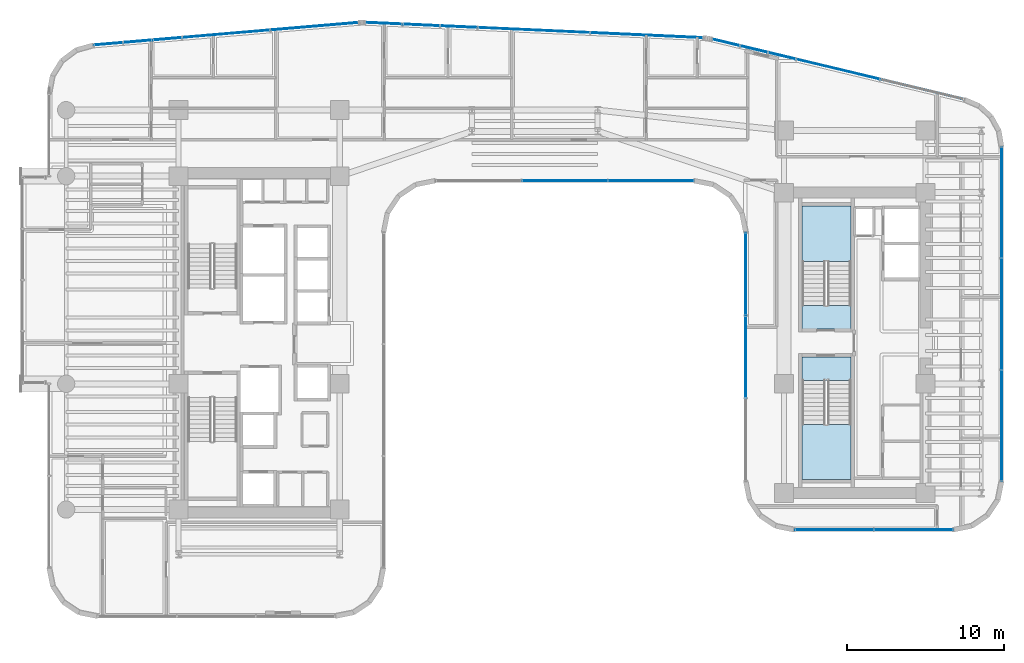
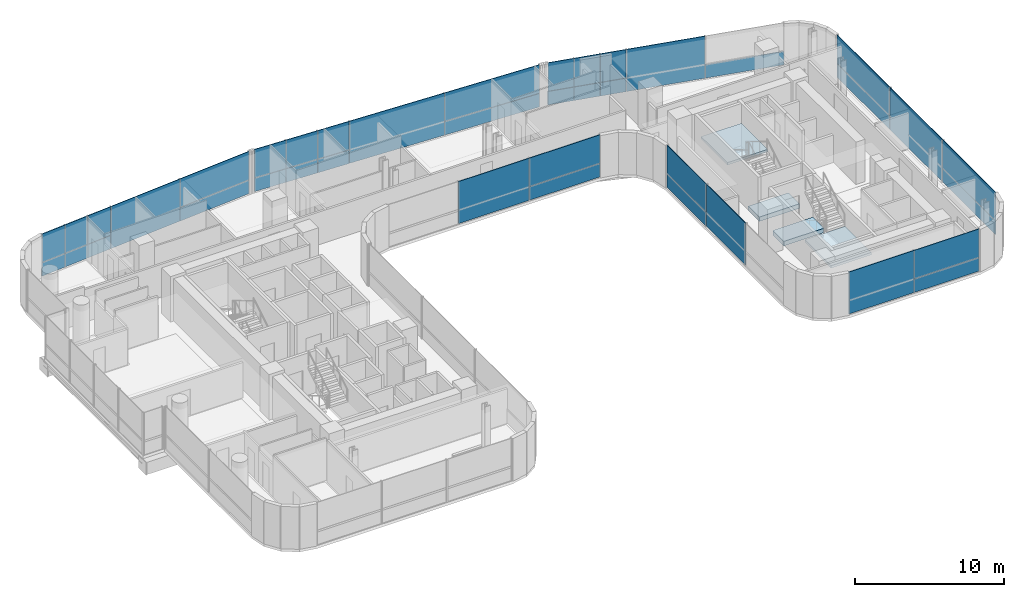
# One storey, part 25 of 36: 40 plates, 4 slabs, 9 elements without a shape of their own.
"""IFC4 building model written with IfcOpenShell, lengths in metres."""

from ifc_helpers import new_model, si_unit, direction, frame, origin, origin_2d, place, context, subcontext, project, spatial, polyline, rectangle, outline, extrude, source, transform, mapped, material, layer, layer_set, type_object, element, aggregate, save


model = new_model("IFC4")

# Units and contexts
model_context = context("Model", 3, precision=1e-05, world=origin(), true_north=direction((0.0, 1.0)))
body_context = subcontext(model_context, "Body", "Model", "MODEL_VIEW")
ifc_project = project(units=[si_unit("LENGTHUNIT", "METRE"), si_unit("AREAUNIT", "SQUARE_METRE"), si_unit("VOLUMEUNIT", "CUBIC_METRE"), si_unit("PLANEANGLEUNIT", "RADIAN"), si_unit("MASSUNIT", "GRAM", prefix="KILO")], contexts=[model_context])

# Site, building, storey
site_placement = place(None, origin())
site = spatial("IfcSite", under=ifc_project, at=site_placement, CompositionType="ELEMENT")
building_placement = place(site_placement, origin())
building = spatial("IfcBuilding", under=site, at=building_placement, Name="Valdorenza Pilgrim Sanctuary Tower", CompositionType="ELEMENT")
storey_placement = place(building_placement, frame((0.0, 0.0, 109.39990234375)))
storey = spatial("IfcBuildingStorey", under=building, at=storey_placement, Name="L27", CompositionType="ELEMENT", Elevation=109.39990234375)

# Stair, slab
ifc_material_1 = material(Name="Concrete C40/50", Category="concrete")
stair_type = type_object("IfcStairType", Name="STR-DOG-CORE", PredefinedType="HALF_TURN_STAIR", material=ifc_material_1)
stair_1_placement = place(storey_placement, origin())
stair_1 = element("IfcStair", 1, at=stair_1_placement, inside=storey, type_object=stair_type, Name="L27 ST-B1", PredefinedType="HALF_TURN_STAIR")
ifc_layer_1 = layer(ifc_material_1, 0.199951171875, Name="Concrete C40/50")
ifc_layer_set_1 = layer_set([ifc_layer_1], Name="Concrete C40/50")
slab_type_1 = type_object("IfcSlabType", Name="SLAB-STL-200", PredefinedType="LANDING", material=ifc_layer_set_1)
slab_1_placement = place(storey_placement, frame((0.0, 0.0, 1.650146484375)))
slab_1 = element("IfcSlab", 2, at=slab_1_placement, type_object=slab_type_1, Name="ST-B1 landing 1", PredefinedType="LANDING", context=body_context, shape_type="SweptSolid", body=[
    extrude(outline(polyline([(20.110107421875, 5.179931640625), (20.110107421875, 8.699951171875), (17.0, 8.699951171875), (17.0, 5.179931640625), (20.110107421875, 5.179931640625)])), origin(), (0.0, 0.0, 1.0), 0.199951171875),
])
aggregate(stair_1, [slab_1])

stair_2_placement = place(storey_placement, origin())
stair_2 = element("IfcStair", 3, at=stair_2_placement, inside=storey, type_object=stair_type, Name="L27 ST-B2", PredefinedType="HALF_TURN_STAIR")
slab_2_placement = place(storey_placement, frame((0.0, 0.0, 1.650146484375)))
slab_2 = element("IfcSlab", 4, at=slab_2_placement, type_object=slab_type_1, Name="ST-B2 landing 1", PredefinedType="LANDING", context=body_context, shape_type="SweptSolid", body=[
    extrude(outline(polyline([(17.0, -5.179931640625), (17.0, -8.699951171875), (20.110107421875, -8.699951171875), (20.110107421875, -5.179931640625), (17.0, -5.179931640625)])), origin(), (0.0, 0.0, 1.0), 0.199951171875),
])
aggregate(stair_2, [slab_2])

# Slabs
ifc_material_2 = material(Name="Concrete C50/60", Category="concrete")
ifc_layer_2 = layer(ifc_material_2, 0.39990234375, Name="Concrete C50/60")
ifc_layer_set_2 = layer_set([ifc_layer_2], Name="Concrete C50/60")
slab_type_2 = type_object("IfcSlabType", Name="SLAB-TRF-400", PredefinedType="FLOOR", material=ifc_layer_set_2)
slab_3_placement = place(storey_placement, frame((0.0, 0.0, -0.35986328125)))
element("IfcSlab", 5, at=slab_3_placement, inside=storey, type_object=slab_type_2, Name="L27 ST-B1 Structural Stair Landing Bearing Slab", PredefinedType="FLOOR", context=body_context, shape_type="SweptSolid", body=[
    extrude(outline(polyline([(17.0, 0.89990234375), (20.110107421875, 0.89990234375), (20.110107421875, 2.385009765625), (17.0, 2.385009765625), (17.0, 0.89990234375)])), origin(), (0.0, 0.0, 1.0), 0.35986328125),
])
slab_4_placement = place(storey_placement, frame((0.0, 0.0, -0.35986328125)))
element("IfcSlab", 6, at=slab_4_placement, inside=storey, type_object=slab_type_2, Name="L27 ST-B2 Structural Stair Landing Bearing Slab", PredefinedType="FLOOR", context=body_context, shape_type="SweptSolid", body=[
    extrude(outline(polyline([(17.0, -2.385009765625), (20.110107421875, -2.385009765625), (20.110107421875, -0.89990234375), (17.0, -0.89990234375), (17.0, -2.385009765625)])), origin(), (0.0, 0.0, 1.0), 0.35986328125),
])

# Curtain wall, plates
ifc_material_3 = material(Name="Curtain-wall IGU glazing", Category="glass")
curtain_wall_type_1 = type_object("IfcCurtainWallType", Name="CW-SYS-02", PredefinedType="NOTDEFINED", material=ifc_material_3)
curtain_wall_1_placement = place(storey_placement, origin())
curtain_wall_1 = element("IfcCurtainWall", 7, at=curtain_wall_1_placement, inside=storey, type_object=curtain_wall_type_1, Name="L27 Curtain Wall CW-L27-1-36", PredefinedType="NOTDEFINED")
ifc_material_4 = material(Name="Honed travertine limestone", Category="masonry")
ifc_layer_3 = layer(ifc_material_4, 0.050048828125, Name="Honed travertine limestone")
ifc_layer_set_3 = layer_set([ifc_layer_3], Name="Honed travertine limestone")
plate_type_1 = type_object("IfcPlateType", Name="CW-SPN-TRV", PredefinedType="USERDEFINED", material=ifc_layer_set_3)
shared_shape_1 = source(origin(), body_context, "Body", "SweptSolid", [
    extrude(rectangle(XDim=5.453857421875, YDim=0.06005859375, at=origin_2d()), origin(), (0.0, 0.0, 1.0), 1.10009765625),
])
plate_1_placement = place(storey_placement, frame((7.373779296875, 10.31005859375, 0.010009765625), z_axis=(0.0, 0.0, 1.0), x_axis=(-1.0, 0.0, 0.0)))
plate_1 = element("IfcPlate", 8, at=plate_1_placement, type_object=plate_type_1, Name="CW-L27-1-36 Travertine Spandrel 1", ObjectType="SPANDREL", PredefinedType="USERDEFINED", context=body_context, shape_type="MappedRepresentation", body=[
    mapped(shared_shape_1, transform((0.0, 0.0, 0.0), x_axis=(1.0, 0.0, 0.0), y_axis=(0.0, 1.0, 0.0), z_axis=(0.0, 0.0, 1.0), scale=1.0)),
])
ifc_material_5 = material(Name="Ceramic-fritted low-E IGU glazing", Category="glass")
ifc_layer_4 = layer(ifc_material_5, 0.035888671875, Name="Ceramic-fritted low-E IGU glazing")
ifc_layer_set_4 = layer_set([ifc_layer_4], Name="Ceramic-fritted low-E IGU glazing")
plate_type_2 = type_object("IfcPlateType", Name="CW-GLZ-IGU", PredefinedType="USERDEFINED", material=ifc_layer_set_4)
shared_shape_2 = source(origin(), body_context, "Body", "SweptSolid", [
    extrude(rectangle(XDim=5.453857421875, YDim=0.050048828125, at=origin_2d()), origin(), (0.0, 0.0, 1.0), 2.320068359375),
])
plate_2_placement = place(storey_placement, frame((7.373779296875, 10.31005859375, 1.1298828125), z_axis=(0.0, 0.0, 1.0), x_axis=(-1.0, 0.0, 0.0)))
plate_2 = element("IfcPlate", 9, at=plate_2_placement, type_object=plate_type_2, Name="CW-L27-1-36 Facade Panel 1", ObjectType="GLAZING", PredefinedType="USERDEFINED", context=body_context, shape_type="MappedRepresentation", body=[
    mapped(shared_shape_2, transform((0.0, 0.0, 0.0), x_axis=(1.0, 0.0, 0.0), y_axis=(0.0, 1.0, 0.0), z_axis=(0.0, 0.0, 1.0), scale=1.0)),
])
shared_shape_3 = source(origin(), body_context, "Body", "SweptSolid", [
    extrude(rectangle(XDim=5.453857421875, YDim=0.050048828125, at=origin_2d()), origin(), (0.0, 0.0, 1.0), 3.43994140625),
])
plate_3_placement = place(storey_placement, frame((1.89990234375, 10.31005859375, 0.010009765625), z_axis=(0.0, 0.0, 1.0), x_axis=(-1.0, 0.0, 0.0)))
plate_3 = element("IfcPlate", 10, at=plate_3_placement, type_object=plate_type_2, Name="CW-L27-1-36 Full-Height Facade Panel 2", ObjectType="GLAZING", PredefinedType="USERDEFINED", context=body_context, shape_type="MappedRepresentation", body=[
    mapped(shared_shape_3, transform((0.0, 0.0, 0.0), x_axis=(1.0, 0.0, 0.0), y_axis=(0.0, 1.0, 0.0), z_axis=(0.0, 0.0, 1.0), scale=1.0)),
])
aggregate(curtain_wall_1, [plate_1, plate_2, plate_3])

# Curtain wall, plate
curtain_wall_2_placement = place(storey_placement, origin())
curtain_wall_2 = element("IfcCurtainWall", 11, at=curtain_wall_2_placement, inside=storey, type_object=curtain_wall_type_1, Name="L27 Curtain Wall CW-L27-1-6", PredefinedType="NOTDEFINED")
shared_shape_4 = source(origin(), body_context, "Body", "SweptSolid", [
    extrude(rectangle(XDim=5.61767578125, YDim=0.06005859375, at=origin_2d()), origin(), (0.0, 0.0, 1.0), 1.10009765625),
])
plate_4_placement = place(storey_placement, frame((-14.008056640625, 20.1337890625, 0.010009765625), z_axis=(0.0, 0.0, 1.0), x_axis=(0.99640764237, 0.084686541006, 0.0)))
plate_4 = element("IfcPlate", 12, at=plate_4_placement, type_object=plate_type_1, Name="CW-L27-1-6 Travertine Spandrel 3", ObjectType="SPANDREL", PredefinedType="USERDEFINED", context=body_context, shape_type="MappedRepresentation", body=[
    mapped(shared_shape_4, transform((0.0, 0.0, 0.0), x_axis=(1.0, 0.0, 0.0), y_axis=(0.0, 1.0, 0.0), z_axis=(0.0, 0.0, 1.0), scale=1.0)),
])

curtain_wall_3_placement = place(storey_placement, origin())
curtain_wall_3 = element("IfcCurtainWall", 13, at=curtain_wall_3_placement, inside=storey, type_object=curtain_wall_type_1, Name="L27 Curtain Wall CW-L27-1-11", PredefinedType="NOTDEFINED")
shared_shape_5 = source(origin(), body_context, "Body", "SweptSolid", [
    extrude(rectangle(XDim=7.1494140625, YDim=0.06005859375, at=origin_2d()), origin(), (0.0, 0.0, 1.0), 1.10009765625),
])
plate_5_placement = place(storey_placement, frame((7.10888671875, 19.56689453125, 0.010009765625), z_axis=(0.0, 0.0, 1.0), x_axis=(0.998968193221, -0.045415294044, 0.0)))
plate_5 = element("IfcPlate", 14, at=plate_5_placement, type_object=plate_type_1, Name="CW-L27-1-11 Travertine Spandrel 3", ObjectType="SPANDREL", PredefinedType="USERDEFINED", context=body_context, shape_type="MappedRepresentation", body=[
    mapped(shared_shape_5, transform((0.0, 0.0, 0.0), x_axis=(1.0, 0.0, 0.0), y_axis=(0.0, 1.0, 0.0), z_axis=(0.0, 0.0, 1.0), scale=1.0)),
])

curtain_wall_type_2 = type_object("IfcCurtainWallType", Name="CW-SYS-03", PredefinedType="NOTDEFINED", material=ifc_material_3)
curtain_wall_4_placement = place(storey_placement, origin())
curtain_wall_4 = element("IfcCurtainWall", 15, at=curtain_wall_4_placement, inside=storey, type_object=curtain_wall_type_2, Name="L27 Curtain Wall CW-L27-1-16", PredefinedType="NOTDEFINED")
shared_shape_6 = source(origin(), body_context, "Body", "SweptSolid", [
    extrude(rectangle(XDim=5.477294921875, YDim=0.06005859375, at=origin_2d()), origin(), (0.0, 0.0, 1.0), 1.10009765625),
])
plate_6_placement = place(storey_placement, frame((24.63720703125, 16.122802734375, 0.010009765625), z_axis=(0.0, 0.0, 1.0), x_axis=(0.972528596343, -0.232783438617, 0.0)))
plate_6 = element("IfcPlate", 16, at=plate_6_placement, type_object=plate_type_1, Name="CW-L27-1-16 Travertine Spandrel 3", ObjectType="SPANDREL", PredefinedType="USERDEFINED", context=body_context, shape_type="MappedRepresentation", body=[
    mapped(shared_shape_6, transform((0.0, 0.0, 0.0), x_axis=(1.0, 0.0, 0.0), y_axis=(0.0, 1.0, 0.0), z_axis=(0.0, 0.0, 1.0), scale=1.0)),
])

# Curtain wall, plates
curtain_wall_5_placement = place(storey_placement, origin())
curtain_wall_5 = element("IfcCurtainWall", 17, at=curtain_wall_5_placement, inside=storey, type_object=curtain_wall_type_2, Name="L27 Curtain Wall CW-L27-1-21", PredefinedType="NOTDEFINED")
shared_shape_7 = source(origin(), body_context, "Body", "SweptSolid", [
    extrude(rectangle(XDim=7.065185546875, YDim=0.06005859375, at=origin_2d()), origin(), (0.0, 0.0, 1.0), 1.10009765625),
])
plate_7_placement = place(storey_placement, frame((29.68994140625, 8.923828125, 0.010009765625), z_axis=(0.0, 0.0, 1.0), x_axis=(0.0, -1.0, 0.0)))
plate_7 = element("IfcPlate", 18, at=plate_7_placement, type_object=plate_type_1, Name="CW-L27-1-21 Travertine Spandrel 1", ObjectType="SPANDREL", PredefinedType="USERDEFINED", context=body_context, shape_type="MappedRepresentation", body=[
    mapped(shared_shape_7, transform((0.0, 0.0, 0.0), x_axis=(1.0, 0.0, 0.0), y_axis=(0.0, 1.0, 0.0), z_axis=(0.0, 0.0, 1.0), scale=1.0)),
])
plate_8_placement = place(storey_placement, frame((29.68994140625, -5.24658203125, 0.010009765625), z_axis=(0.0, 0.0, 1.0), x_axis=(0.0, -1.0, 0.0)))
plate_8 = element("IfcPlate", 19, at=plate_8_placement, type_object=plate_type_1, Name="CW-L27-1-21 Travertine Spandrel 3", ObjectType="SPANDREL", PredefinedType="USERDEFINED", context=body_context, shape_type="MappedRepresentation", body=[
    mapped(shared_shape_7, transform((0.0, 0.0, 0.0), x_axis=(1.0, 0.0, 0.0), y_axis=(0.0, 1.0, 0.0), z_axis=(0.0, 0.0, 1.0), scale=1.0)),
])

# Curtain wall, plate
curtain_wall_6_placement = place(storey_placement, origin())
curtain_wall_6 = element("IfcCurtainWall", 20, at=curtain_wall_6_placement, inside=storey, type_object=curtain_wall_type_2, Name="L27 Curtain Wall CW-L27-1-26", PredefinedType="NOTDEFINED")
shared_shape_8 = source(origin(), body_context, "Body", "SweptSolid", [
    extrude(rectangle(XDim=5.019287109375, YDim=0.06005859375, at=origin_2d()), origin(), (0.0, 0.0, 1.0), 1.10009765625),
])
plate_9_placement = place(storey_placement, frame((24.069580078125, -11.889892578125, 0.010009765625), z_axis=(0.0, 0.0, 1.0), x_axis=(-1.0, 0.0, 0.0)))
plate_9 = element("IfcPlate", 21, at=plate_9_placement, type_object=plate_type_1, Name="CW-L27-1-26 Travertine Spandrel 1", ObjectType="SPANDREL", PredefinedType="USERDEFINED", context=body_context, shape_type="MappedRepresentation", body=[
    mapped(shared_shape_8, transform((0.0, 0.0, 0.0), x_axis=(1.0, 0.0, 0.0), y_axis=(0.0, 1.0, 0.0), z_axis=(0.0, 0.0, 1.0), scale=1.0)),
])

curtain_wall_7_placement = place(storey_placement, origin())
curtain_wall_7 = element("IfcCurtainWall", 22, at=curtain_wall_7_placement, inside=storey, type_object=curtain_wall_type_2, Name="L27 Curtain Wall CW-L27-1-31", PredefinedType="NOTDEFINED")
shared_shape_9 = source(origin(), body_context, "Body", "SweptSolid", [
    extrude(rectangle(XDim=5.24658203125, YDim=0.06005859375, at=origin_2d()), origin(), (0.0, 0.0, 1.0), 1.10009765625),
])
plate_10_placement = place(storey_placement, frame((13.409912109375, 4.37744140625, 0.010009765625), z_axis=(0.0, 0.0, 1.0), x_axis=(0.0, 1.0, 0.0)))
plate_10 = element("IfcPlate", 23, at=plate_10_placement, type_object=plate_type_1, Name="CW-L27-1-31 Travertine Spandrel 3", ObjectType="SPANDREL", PredefinedType="USERDEFINED", context=body_context, shape_type="MappedRepresentation", body=[
    mapped(shared_shape_9, transform((0.0, 0.0, 0.0), x_axis=(1.0, 0.0, 0.0), y_axis=(0.0, 1.0, 0.0), z_axis=(0.0, 0.0, 1.0), scale=1.0)),
])

# Plate
shared_shape_10 = source(origin(), body_context, "Body", "SweptSolid", [
    extrude(rectangle(XDim=5.61767578125, YDim=0.050048828125, at=origin_2d()), origin(), (0.0, 0.0, 1.0), 3.43994140625),
])
plate_11_placement = place(storey_placement, frame((-19.62548828125, 19.656494140625, 0.010009765625), z_axis=(0.0, 0.0, 1.0), x_axis=(0.99640764237, 0.084686541006, 0.0)))
plate_11 = element("IfcPlate", 24, at=plate_11_placement, type_object=plate_type_2, Name="CW-L27-1-6 Full-Height Facade Panel 2", ObjectType="GLAZING", PredefinedType="USERDEFINED", context=body_context, shape_type="MappedRepresentation", body=[
    mapped(shared_shape_10, transform((0.0, 0.0, 0.0), x_axis=(1.0, 0.0, 0.0), y_axis=(0.0, 1.0, 0.0), z_axis=(0.0, 0.0, 1.0), scale=1.0)),
])

shared_shape_11 = source(origin(), body_context, "Body", "SweptSolid", [
    extrude(rectangle(XDim=5.61767578125, YDim=0.050048828125, at=origin_2d()), origin(), (0.0, 0.0, 1.0), 2.320068359375),
])
plate_12_placement = place(storey_placement, frame((-14.008056640625, 20.1337890625, 1.1298828125), z_axis=(0.0, 0.0, 1.0), x_axis=(0.99640764237, 0.084686541006, 0.0)))
plate_12 = element("IfcPlate", 25, at=plate_12_placement, type_object=plate_type_2, Name="CW-L27-1-6 Facade Panel 3", ObjectType="GLAZING", PredefinedType="USERDEFINED", context=body_context, shape_type="MappedRepresentation", body=[
    mapped(shared_shape_11, transform((0.0, 0.0, 0.0), x_axis=(1.0, 0.0, 0.0), y_axis=(0.0, 1.0, 0.0), z_axis=(0.0, 0.0, 1.0), scale=1.0)),
])

shared_shape_12 = source(origin(), body_context, "Body", "SweptSolid", [
    extrude(rectangle(XDim=7.1494140625, YDim=0.050048828125, at=origin_2d()), origin(), (0.0, 0.0, 1.0), 3.43994140625),
])
plate_13_placement = place(storey_placement, frame((-0.052978515625, 19.892333984375, 0.010009765625), z_axis=(0.0, 0.0, 1.0), x_axis=(0.998968193221, -0.045415294044, 0.0)))
plate_13 = element("IfcPlate", 26, at=plate_13_placement, type_object=plate_type_2, Name="CW-L27-1-11 Full-Height Facade Panel 2", ObjectType="GLAZING", PredefinedType="USERDEFINED", context=body_context, shape_type="MappedRepresentation", body=[
    mapped(shared_shape_12, transform((0.0, 0.0, 0.0), x_axis=(1.0, 0.0, 0.0), y_axis=(0.0, 1.0, 0.0), z_axis=(0.0, 0.0, 1.0), scale=1.0)),
])

shared_shape_13 = source(origin(), body_context, "Body", "SweptSolid", [
    extrude(rectangle(XDim=7.1494140625, YDim=0.050048828125, at=origin_2d()), origin(), (0.0, 0.0, 1.0), 2.320068359375),
])
plate_14_placement = place(storey_placement, frame((7.10888671875, 19.56689453125, 1.1298828125), z_axis=(0.0, 0.0, 1.0), x_axis=(0.998968193221, -0.045415294044, 0.0)))
plate_14 = element("IfcPlate", 27, at=plate_14_placement, type_object=plate_type_2, Name="CW-L27-1-11 Facade Panel 3", ObjectType="GLAZING", PredefinedType="USERDEFINED", context=body_context, shape_type="MappedRepresentation", body=[
    mapped(shared_shape_13, transform((0.0, 0.0, 0.0), x_axis=(1.0, 0.0, 0.0), y_axis=(0.0, 1.0, 0.0), z_axis=(0.0, 0.0, 1.0), scale=1.0)),
])

shared_shape_14 = source(origin(), body_context, "Body", "SweptSolid", [
    extrude(rectangle(XDim=5.477294921875, YDim=0.050048828125, at=origin_2d()), origin(), (0.0, 0.0, 1.0), 3.43994140625),
])
plate_15_placement = place(storey_placement, frame((19.291015625, 17.40234375, 0.010009765625), z_axis=(0.0, 0.0, 1.0), x_axis=(0.972528596343, -0.232783438617, 0.0)))
plate_15 = element("IfcPlate", 28, at=plate_15_placement, type_object=plate_type_2, Name="CW-L27-1-16 Full-Height Facade Panel 2", ObjectType="GLAZING", PredefinedType="USERDEFINED", context=body_context, shape_type="MappedRepresentation", body=[
    mapped(shared_shape_14, transform((0.0, 0.0, 0.0), x_axis=(1.0, 0.0, 0.0), y_axis=(0.0, 1.0, 0.0), z_axis=(0.0, 0.0, 1.0), scale=1.0)),
])

shared_shape_15 = source(origin(), body_context, "Body", "SweptSolid", [
    extrude(rectangle(XDim=7.065185546875, YDim=0.050048828125, at=origin_2d()), origin(), (0.0, 0.0, 1.0), 2.320068359375),
])
plate_16_placement = place(storey_placement, frame((29.68994140625, 8.923828125, 1.1298828125), z_axis=(0.0, 0.0, 1.0), x_axis=(0.0, -1.0, 0.0)))
plate_16 = element("IfcPlate", 29, at=plate_16_placement, type_object=plate_type_2, Name="CW-L27-1-21 Facade Panel 1", ObjectType="GLAZING", PredefinedType="USERDEFINED", context=body_context, shape_type="MappedRepresentation", body=[
    mapped(shared_shape_15, transform((0.0, 0.0, 0.0), x_axis=(1.0, 0.0, 0.0), y_axis=(0.0, 1.0, 0.0), z_axis=(0.0, 0.0, 1.0), scale=1.0)),
])

plate_17_placement = place(storey_placement, frame((29.68994140625, -5.24658203125, 1.1298828125), z_axis=(0.0, 0.0, 1.0), x_axis=(0.0, -1.0, 0.0)))
plate_17 = element("IfcPlate", 30, at=plate_17_placement, type_object=plate_type_2, Name="CW-L27-1-21 Facade Panel 3", ObjectType="GLAZING", PredefinedType="USERDEFINED", context=body_context, shape_type="MappedRepresentation", body=[
    mapped(shared_shape_15, transform((0.0, 0.0, 0.0), x_axis=(1.0, 0.0, 0.0), y_axis=(0.0, 1.0, 0.0), z_axis=(0.0, 0.0, 1.0), scale=1.0)),
])

shared_shape_16 = source(origin(), body_context, "Body", "SweptSolid", [
    extrude(rectangle(XDim=7.065185546875, YDim=0.050048828125, at=origin_2d()), origin(), (0.0, 0.0, 1.0), 3.43994140625),
])
plate_18_placement = place(storey_placement, frame((29.68994140625, 1.838623046875, 0.010009765625), z_axis=(0.0, 0.0, 1.0), x_axis=(0.0, -1.0, 0.0)))
plate_18 = element("IfcPlate", 31, at=plate_18_placement, type_object=plate_type_2, Name="CW-L27-1-21 Full-Height Facade Panel 2", ObjectType="GLAZING", PredefinedType="USERDEFINED", context=body_context, shape_type="MappedRepresentation", body=[
    mapped(shared_shape_16, transform((0.0, 0.0, 0.0), x_axis=(1.0, 0.0, 0.0), y_axis=(0.0, 1.0, 0.0), z_axis=(0.0, 0.0, 1.0), scale=1.0)),
])

aggregate(curtain_wall_5, [plate_7, plate_16, plate_18, plate_8, plate_17])

shared_shape_17 = source(origin(), body_context, "Body", "SweptSolid", [
    extrude(rectangle(XDim=5.019287109375, YDim=0.050048828125, at=origin_2d()), origin(), (0.0, 0.0, 1.0), 2.320068359375),
])
plate_19_placement = place(storey_placement, frame((24.069580078125, -11.889892578125, 1.1298828125), z_axis=(0.0, 0.0, 1.0), x_axis=(-1.0, 0.0, 0.0)))
plate_19 = element("IfcPlate", 32, at=plate_19_placement, type_object=plate_type_2, Name="CW-L27-1-26 Facade Panel 1", ObjectType="GLAZING", PredefinedType="USERDEFINED", context=body_context, shape_type="MappedRepresentation", body=[
    mapped(shared_shape_17, transform((0.0, 0.0, 0.0), x_axis=(1.0, 0.0, 0.0), y_axis=(0.0, 1.0, 0.0), z_axis=(0.0, 0.0, 1.0), scale=1.0)),
])

shared_shape_18 = source(origin(), body_context, "Body", "SweptSolid", [
    extrude(rectangle(XDim=5.019287109375, YDim=0.050048828125, at=origin_2d()), origin(), (0.0, 0.0, 1.0), 3.43994140625),
])
plate_20_placement = place(storey_placement, frame((19.030517578125, -11.889892578125, 0.010009765625), z_axis=(0.0, 0.0, 1.0), x_axis=(-1.0, 0.0, 0.0)))
plate_20 = element("IfcPlate", 33, at=plate_20_placement, type_object=plate_type_2, Name="CW-L27-1-26 Full-Height Facade Panel 2", ObjectType="GLAZING", PredefinedType="USERDEFINED", context=body_context, shape_type="MappedRepresentation", body=[
    mapped(shared_shape_18, transform((0.0, 0.0, 0.0), x_axis=(1.0, 0.0, 0.0), y_axis=(0.0, 1.0, 0.0), z_axis=(0.0, 0.0, 1.0), scale=1.0)),
])

aggregate(curtain_wall_6, [plate_9, plate_19, plate_20])

shared_shape_19 = source(origin(), body_context, "Body", "SweptSolid", [
    extrude(rectangle(XDim=5.24658203125, YDim=0.050048828125, at=origin_2d()), origin(), (0.0, 0.0, 1.0), 2.320068359375),
])
plate_21_placement = place(storey_placement, frame((13.409912109375, 4.37744140625, 1.1298828125), z_axis=(0.0, 0.0, 1.0), x_axis=(0.0, 1.0, 0.0)))
plate_21 = element("IfcPlate", 34, at=plate_21_placement, type_object=plate_type_2, Name="CW-L27-1-31 Facade Panel 3", ObjectType="GLAZING", PredefinedType="USERDEFINED", context=body_context, shape_type="MappedRepresentation", body=[
    mapped(shared_shape_19, transform((0.0, 0.0, 0.0), x_axis=(1.0, 0.0, 0.0), y_axis=(0.0, 1.0, 0.0), z_axis=(0.0, 0.0, 1.0), scale=1.0)),
])

shared_shape_20 = source(origin(), body_context, "Body", "SweptSolid", [
    extrude(rectangle(XDim=5.24658203125, YDim=0.050048828125, at=origin_2d()), origin(), (0.0, 0.0, 1.0), 3.43994140625),
])
plate_22_placement = place(storey_placement, frame((13.409912109375, -0.88916015625, 0.010009765625), z_axis=(0.0, 0.0, 1.0), x_axis=(0.0, 1.0, 0.0)))
plate_22 = element("IfcPlate", 35, at=plate_22_placement, type_object=plate_type_2, Name="CW-L27-1-31 Full-Height Facade Panel 2", ObjectType="GLAZING", PredefinedType="USERDEFINED", context=body_context, shape_type="MappedRepresentation", body=[
    mapped(shared_shape_20, transform((0.0, 0.0, 0.0), x_axis=(1.0, 0.0, 0.0), y_axis=(0.0, 1.0, 0.0), z_axis=(0.0, 0.0, 1.0), scale=1.0)),
])

aggregate(curtain_wall_7, [plate_22, plate_10, plate_21])

shared_shape_21 = source(origin(), body_context, "Body", "SweptSolid", [
    extrude(rectangle(XDim=1.8525390625, YDim=0.050048828125, at=origin_2d()), origin(), (0.0, 0.0, 1.0), 2.320068359375),
])
plate_23_placement = place(storey_placement, frame((-27.108642578125, 19.0205078125, 1.1298828125), z_axis=(0.0, 0.0, 1.0), x_axis=(0.99640764237, 0.084686541006, 0.0)))
plate_23 = element("IfcPlate", 36, at=plate_23_placement, type_object=plate_type_2, Name="CW-L27-1-6 Facade Panel 1 Sub 1", ObjectType="GLAZING", PredefinedType="USERDEFINED", context=body_context, shape_type="MappedRepresentation", body=[
    mapped(shared_shape_21, transform((0.0, 0.0, 0.0), x_axis=(1.0, 0.0, 0.0), y_axis=(0.0, 1.0, 0.0), z_axis=(0.0, 0.0, 1.0), scale=1.0)),
])

plate_24_placement = place(storey_placement, frame((-25.242919921875, 19.178955078125, 1.1298828125), z_axis=(0.0, 0.0, 1.0), x_axis=(0.99640764237, 0.084686541006, 0.0)))
plate_24 = element("IfcPlate", 37, at=plate_24_placement, type_object=plate_type_2, Name="CW-L27-1-6 Facade Panel 1 Sub 2", ObjectType="GLAZING", PredefinedType="USERDEFINED", context=body_context, shape_type="MappedRepresentation", body=[
    mapped(shared_shape_21, transform((0.0, 0.0, 0.0), x_axis=(1.0, 0.0, 0.0), y_axis=(0.0, 1.0, 0.0), z_axis=(0.0, 0.0, 1.0), scale=1.0)),
])

plate_25_placement = place(storey_placement, frame((-23.376953125, 19.337646484375, 1.1298828125), z_axis=(0.0, 0.0, 1.0), x_axis=(0.99640764237, 0.084686541006, 0.0)))
plate_25 = element("IfcPlate", 38, at=plate_25_placement, type_object=plate_type_2, Name="CW-L27-1-6 Facade Panel 1 Sub 3", ObjectType="GLAZING", PredefinedType="USERDEFINED", context=body_context, shape_type="MappedRepresentation", body=[
    mapped(shared_shape_21, transform((0.0, 0.0, 0.0), x_axis=(1.0, 0.0, 0.0), y_axis=(0.0, 1.0, 0.0), z_axis=(0.0, 0.0, 1.0), scale=1.0)),
])

shared_shape_22 = source(origin(), body_context, "Body", "SweptSolid", [
    extrude(rectangle(XDim=1.8525390625, YDim=0.06005859375, at=origin_2d()), origin(), (0.0, 0.0, 1.0), 1.10009765625),
])
plate_26_placement = place(storey_placement, frame((-27.108642578125, 19.0205078125, 0.010009765625), z_axis=(0.0, 0.0, 1.0), x_axis=(0.99640764237, 0.084686541006, 0.0)))
plate_26 = element("IfcPlate", 39, at=plate_26_placement, type_object=plate_type_1, Name="CW-L27-1-6 Travertine Spandrel 1 Sub 1", ObjectType="SPANDREL", PredefinedType="USERDEFINED", context=body_context, shape_type="MappedRepresentation", body=[
    mapped(shared_shape_22, transform((0.0, 0.0, 0.0), x_axis=(1.0, 0.0, 0.0), y_axis=(0.0, 1.0, 0.0), z_axis=(0.0, 0.0, 1.0), scale=1.0)),
])

plate_27_placement = place(storey_placement, frame((-25.242919921875, 19.178955078125, 0.010009765625), z_axis=(0.0, 0.0, 1.0), x_axis=(0.99640764237, 0.084686541006, 0.0)))
plate_27 = element("IfcPlate", 40, at=plate_27_placement, type_object=plate_type_1, Name="CW-L27-1-6 Travertine Spandrel 1 Sub 2", ObjectType="SPANDREL", PredefinedType="USERDEFINED", context=body_context, shape_type="MappedRepresentation", body=[
    mapped(shared_shape_22, transform((0.0, 0.0, 0.0), x_axis=(1.0, 0.0, 0.0), y_axis=(0.0, 1.0, 0.0), z_axis=(0.0, 0.0, 1.0), scale=1.0)),
])

plate_28_placement = place(storey_placement, frame((-23.376953125, 19.337646484375, 0.010009765625), z_axis=(0.0, 0.0, 1.0), x_axis=(0.99640764237, 0.084686541006, 0.0)))
plate_28 = element("IfcPlate", 41, at=plate_28_placement, type_object=plate_type_1, Name="CW-L27-1-6 Travertine Spandrel 1 Sub 3", ObjectType="SPANDREL", PredefinedType="USERDEFINED", context=body_context, shape_type="MappedRepresentation", body=[
    mapped(shared_shape_22, transform((0.0, 0.0, 0.0), x_axis=(1.0, 0.0, 0.0), y_axis=(0.0, 1.0, 0.0), z_axis=(0.0, 0.0, 1.0), scale=1.0)),
])

aggregate(curtain_wall_2, [plate_11, plate_4, plate_12, plate_23, plate_26, plate_24, plate_27, plate_25, plate_28])

shared_shape_23 = source(origin(), body_context, "Body", "SweptSolid", [
    extrude(rectangle(XDim=2.363037109375, YDim=0.050048828125, at=origin_2d()), origin(), (0.0, 0.0, 1.0), 2.320068359375),
])
plate_29_placement = place(storey_placement, frame((-9.595458984375, 20.325927734375, 1.1298828125), z_axis=(0.0, 0.0, 1.0), x_axis=(0.998968193221, -0.045415294044, 0.0)))
plate_29 = element("IfcPlate", 42, at=plate_29_placement, type_object=plate_type_2, Name="CW-L27-1-11 Facade Panel 1 Sub 1", ObjectType="GLAZING", PredefinedType="USERDEFINED", context=body_context, shape_type="MappedRepresentation", body=[
    mapped(shared_shape_23, transform((0.0, 0.0, 0.0), x_axis=(1.0, 0.0, 0.0), y_axis=(0.0, 1.0, 0.0), z_axis=(0.0, 0.0, 1.0), scale=1.0)),
])

plate_30_placement = place(storey_placement, frame((-7.21484375, 20.2177734375, 1.1298828125), z_axis=(0.0, 0.0, 1.0), x_axis=(0.998968193221, -0.045415294044, 0.0)))
plate_30 = element("IfcPlate", 43, at=plate_30_placement, type_object=plate_type_2, Name="CW-L27-1-11 Facade Panel 1 Sub 2", ObjectType="GLAZING", PredefinedType="USERDEFINED", context=body_context, shape_type="MappedRepresentation", body=[
    mapped(shared_shape_23, transform((0.0, 0.0, 0.0), x_axis=(1.0, 0.0, 0.0), y_axis=(0.0, 1.0, 0.0), z_axis=(0.0, 0.0, 1.0), scale=1.0)),
])

plate_31_placement = place(storey_placement, frame((-4.834228515625, 20.109619140625, 1.1298828125), z_axis=(0.0, 0.0, 1.0), x_axis=(0.998968193221, -0.045415294044, 0.0)))
plate_31 = element("IfcPlate", 44, at=plate_31_placement, type_object=plate_type_2, Name="CW-L27-1-11 Facade Panel 1 Sub 3", ObjectType="GLAZING", PredefinedType="USERDEFINED", context=body_context, shape_type="MappedRepresentation", body=[
    mapped(shared_shape_23, transform((0.0, 0.0, 0.0), x_axis=(1.0, 0.0, 0.0), y_axis=(0.0, 1.0, 0.0), z_axis=(0.0, 0.0, 1.0), scale=1.0)),
])

shared_shape_24 = source(origin(), body_context, "Body", "SweptSolid", [
    extrude(rectangle(XDim=2.363037109375, YDim=0.06005859375, at=origin_2d()), origin(), (0.0, 0.0, 1.0), 1.10009765625),
])
plate_32_placement = place(storey_placement, frame((-9.595458984375, 20.325927734375, 0.010009765625), z_axis=(0.0, 0.0, 1.0), x_axis=(0.998968193221, -0.045415294044, 0.0)))
plate_32 = element("IfcPlate", 45, at=plate_32_placement, type_object=plate_type_1, Name="CW-L27-1-11 Travertine Spandrel 1 Sub 1", ObjectType="SPANDREL", PredefinedType="USERDEFINED", context=body_context, shape_type="MappedRepresentation", body=[
    mapped(shared_shape_24, transform((0.0, 0.0, 0.0), x_axis=(1.0, 0.0, 0.0), y_axis=(0.0, 1.0, 0.0), z_axis=(0.0, 0.0, 1.0), scale=1.0)),
])

plate_33_placement = place(storey_placement, frame((-7.21484375, 20.2177734375, 0.010009765625), z_axis=(0.0, 0.0, 1.0), x_axis=(0.998968193221, -0.045415294044, 0.0)))
plate_33 = element("IfcPlate", 46, at=plate_33_placement, type_object=plate_type_1, Name="CW-L27-1-11 Travertine Spandrel 1 Sub 2", ObjectType="SPANDREL", PredefinedType="USERDEFINED", context=body_context, shape_type="MappedRepresentation", body=[
    mapped(shared_shape_24, transform((0.0, 0.0, 0.0), x_axis=(1.0, 0.0, 0.0), y_axis=(0.0, 1.0, 0.0), z_axis=(0.0, 0.0, 1.0), scale=1.0)),
])

plate_34_placement = place(storey_placement, frame((-4.834228515625, 20.109619140625, 0.010009765625), z_axis=(0.0, 0.0, 1.0), x_axis=(0.998968193221, -0.045415294044, 0.0)))
plate_34 = element("IfcPlate", 47, at=plate_34_placement, type_object=plate_type_1, Name="CW-L27-1-11 Travertine Spandrel 1 Sub 3", ObjectType="SPANDREL", PredefinedType="USERDEFINED", context=body_context, shape_type="MappedRepresentation", body=[
    mapped(shared_shape_24, transform((0.0, 0.0, 0.0), x_axis=(1.0, 0.0, 0.0), y_axis=(0.0, 1.0, 0.0), z_axis=(0.0, 0.0, 1.0), scale=1.0)),
])

aggregate(curtain_wall_3, [plate_13, plate_5, plate_14, plate_29, plate_32, plate_30, plate_33, plate_31, plate_34])

shared_shape_25 = source(origin(), body_context, "Body", "SweptSolid", [
    extrude(rectangle(XDim=1.805908203125, YDim=0.050048828125, at=origin_2d()), origin(), (0.0, 0.0, 1.0), 2.320068359375),
])
plate_35_placement = place(storey_placement, frame((12.1689453125, 19.107177734375, 1.1298828125), z_axis=(0.0, 0.0, 1.0), x_axis=(0.972528596343, -0.232783438617, 0.0)))
plate_35 = element("IfcPlate", 48, at=plate_35_placement, type_object=plate_type_2, Name="CW-L27-1-16 Facade Panel 1 Sub 1", ObjectType="GLAZING", PredefinedType="USERDEFINED", context=body_context, shape_type="MappedRepresentation", body=[
    mapped(shared_shape_25, transform((0.0, 0.0, 0.0), x_axis=(1.0, 0.0, 0.0), y_axis=(0.0, 1.0, 0.0), z_axis=(0.0, 0.0, 1.0), scale=1.0)),
])

plate_36_placement = place(storey_placement, frame((13.944580078125, 18.68212890625, 1.1298828125), z_axis=(0.0, 0.0, 1.0), x_axis=(0.972528596343, -0.232783438617, 0.0)))
plate_36 = element("IfcPlate", 49, at=plate_36_placement, type_object=plate_type_2, Name="CW-L27-1-16 Facade Panel 1 Sub 2", ObjectType="GLAZING", PredefinedType="USERDEFINED", context=body_context, shape_type="MappedRepresentation", body=[
    mapped(shared_shape_25, transform((0.0, 0.0, 0.0), x_axis=(1.0, 0.0, 0.0), y_axis=(0.0, 1.0, 0.0), z_axis=(0.0, 0.0, 1.0), scale=1.0)),
])

plate_37_placement = place(storey_placement, frame((15.72021484375, 18.257080078125, 1.1298828125), z_axis=(0.0, 0.0, 1.0), x_axis=(0.972528596343, -0.232783438617, 0.0)))
plate_37 = element("IfcPlate", 50, at=plate_37_placement, type_object=plate_type_2, Name="CW-L27-1-16 Facade Panel 1 Sub 3", ObjectType="GLAZING", PredefinedType="USERDEFINED", context=body_context, shape_type="MappedRepresentation", body=[
    mapped(shared_shape_25, transform((0.0, 0.0, 0.0), x_axis=(1.0, 0.0, 0.0), y_axis=(0.0, 1.0, 0.0), z_axis=(0.0, 0.0, 1.0), scale=1.0)),
])

shared_shape_26 = source(origin(), body_context, "Body", "SweptSolid", [
    extrude(rectangle(XDim=1.805908203125, YDim=0.06005859375, at=origin_2d()), origin(), (0.0, 0.0, 1.0), 1.10009765625),
])
plate_38_placement = place(storey_placement, frame((12.1689453125, 19.107177734375, 0.010009765625), z_axis=(0.0, 0.0, 1.0), x_axis=(0.972528596343, -0.232783438617, 0.0)))
plate_38 = element("IfcPlate", 51, at=plate_38_placement, type_object=plate_type_1, Name="CW-L27-1-16 Travertine Spandrel 1 Sub 1", ObjectType="SPANDREL", PredefinedType="USERDEFINED", context=body_context, shape_type="MappedRepresentation", body=[
    mapped(shared_shape_26, transform((0.0, 0.0, 0.0), x_axis=(1.0, 0.0, 0.0), y_axis=(0.0, 1.0, 0.0), z_axis=(0.0, 0.0, 1.0), scale=1.0)),
])

plate_39_placement = place(storey_placement, frame((13.944580078125, 18.68212890625, 0.010009765625), z_axis=(0.0, 0.0, 1.0), x_axis=(0.972528596343, -0.232783438617, 0.0)))
plate_39 = element("IfcPlate", 52, at=plate_39_placement, type_object=plate_type_1, Name="CW-L27-1-16 Travertine Spandrel 1 Sub 2", ObjectType="SPANDREL", PredefinedType="USERDEFINED", context=body_context, shape_type="MappedRepresentation", body=[
    mapped(shared_shape_26, transform((0.0, 0.0, 0.0), x_axis=(1.0, 0.0, 0.0), y_axis=(0.0, 1.0, 0.0), z_axis=(0.0, 0.0, 1.0), scale=1.0)),
])

plate_40_placement = place(storey_placement, frame((15.72021484375, 18.257080078125, 0.010009765625), z_axis=(0.0, 0.0, 1.0), x_axis=(0.972528596343, -0.232783438617, 0.0)))
plate_40 = element("IfcPlate", 53, at=plate_40_placement, type_object=plate_type_1, Name="CW-L27-1-16 Travertine Spandrel 1 Sub 3", ObjectType="SPANDREL", PredefinedType="USERDEFINED", context=body_context, shape_type="MappedRepresentation", body=[
    mapped(shared_shape_26, transform((0.0, 0.0, 0.0), x_axis=(1.0, 0.0, 0.0), y_axis=(0.0, 1.0, 0.0), z_axis=(0.0, 0.0, 1.0), scale=1.0)),
])

aggregate(curtain_wall_4, [plate_15, plate_6, plate_35, plate_38, plate_36, plate_39, plate_37, plate_40])

save(model, "model.ifc")
